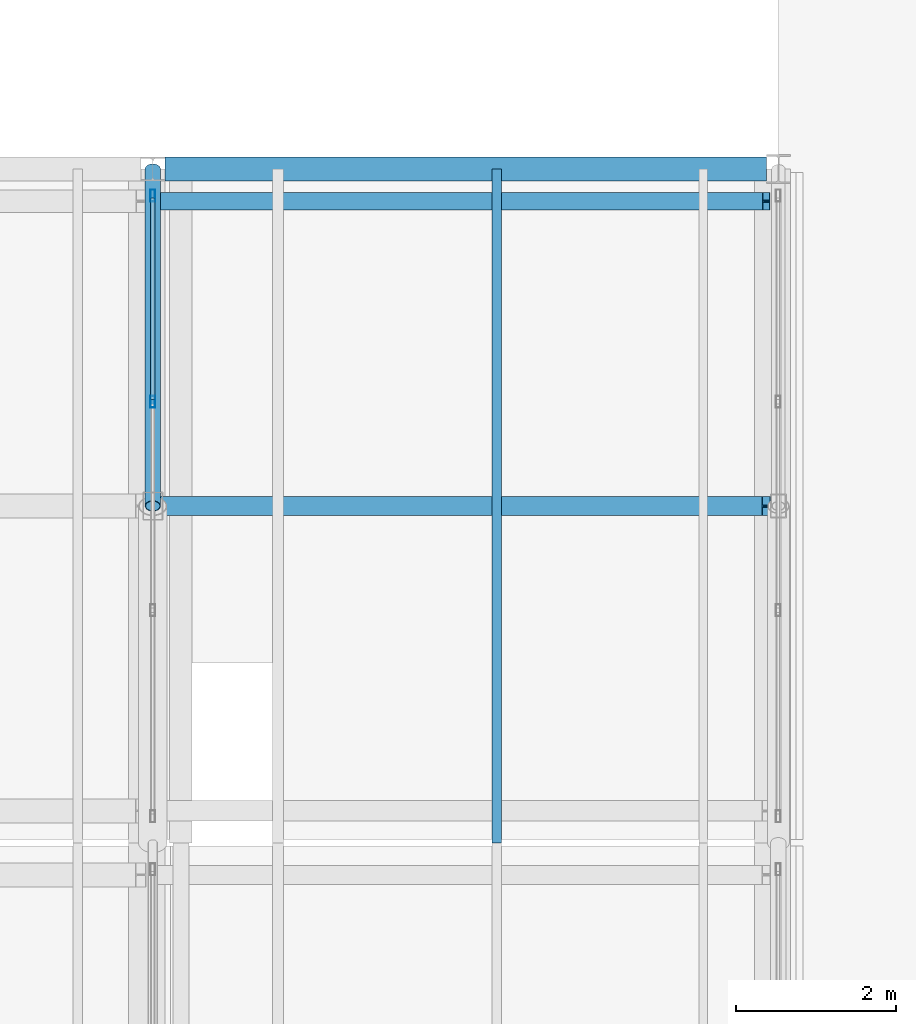
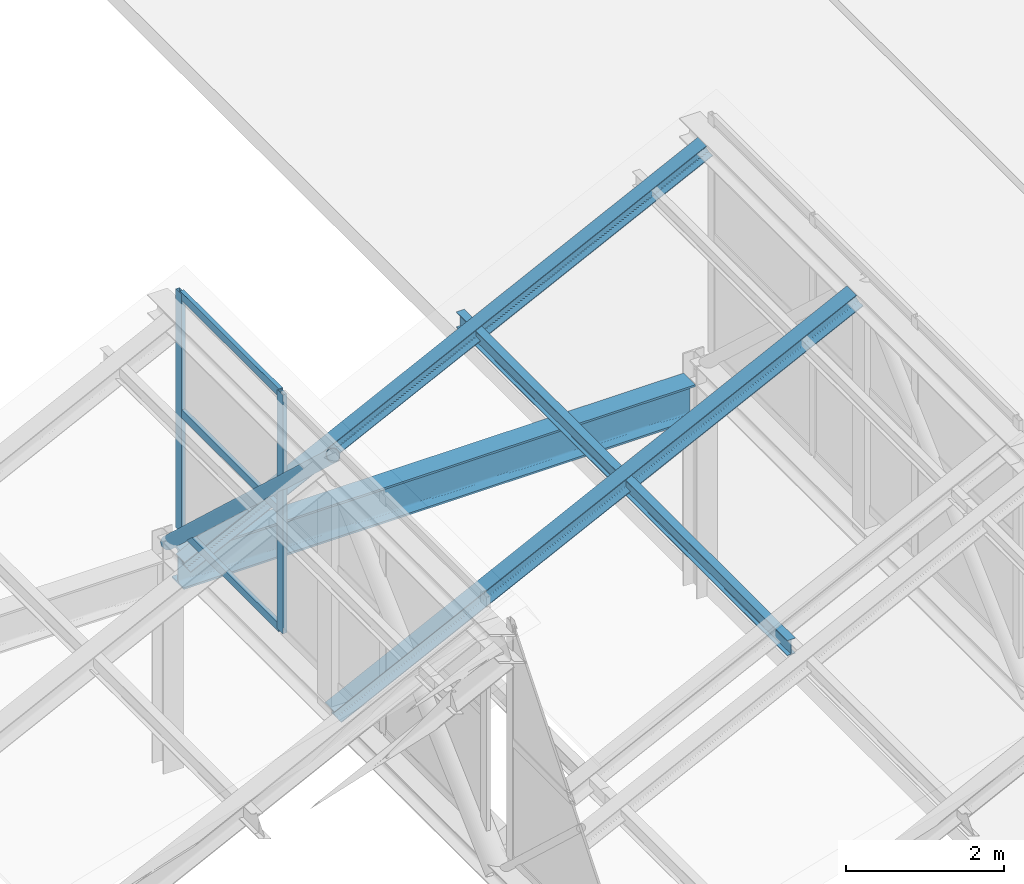
# One storey, part 43 of 101: 9 members, 1 beam, 1 element without a shape of its own.
"""IFC4 building model written with IfcOpenShell, lengths in metres."""

import ifcopenshell
import ifcopenshell.guid

model = None  # the IFC model being written
_history = None  # IfcOwnerHistory: only IFC2X3 demands one
_inside = {}  # id of a spatial element -> (the spatial element, [elements in it])
_under = {}  # id of a project, library or spatial element -> (it, [spatial elements below it])
_declared = {}  # id of a project -> (the project, [libraries it declares])
_typed = {}  # id of a type object -> (the type object, [elements of that type])
_made_of = {}  # id of a material, layer set ... -> (it, [elements and type objects made of it])


def new_model(schema):
    """Start an empty IFC model of exactly this schema.

    Asked for "IFC4X3", IfcOpenShell would pick the latest addendum, in which some entities
    have other attributes; the version numbers below select the first issue.
    IFC2X3 requires an IfcOwnerHistory on every rooted entity: one is made here for all.
    """
    global model, _history
    if schema == "IFC4X3":
        model = ifcopenshell.file(schema_version=(4, 3, 0, 0))
    else:
        model = ifcopenshell.file(schema=schema)
    _inside.clear()
    _under.clear()
    _declared.clear()
    _typed.clear()
    _made_of.clear()
    _history = None
    if model.schema == "IFC2X3":
        org = make("IfcOrganization", Name="unknown")
        user = make(
            "IfcPersonAndOrganization",
            ThePerson=make("IfcPerson", FamilyName="unknown"),
            TheOrganization=org,
        )
        app = make(
            "IfcApplication",
            ApplicationDeveloper=org,
            Version="unknown",
            ApplicationFullName="unknown",
            ApplicationIdentifier="unknown",
        )
        _history = make(
            "IfcOwnerHistory",
            OwningUser=user,
            OwningApplication=app,
            ChangeAction="ADDED",
            CreationDate=0,
        )
    return model


def make(cls, **values):
    """One entity of the class cls with the attributes given. An attribute that is None is left unset."""
    return model.create_entity(
        cls, **{name: value for name, value in values.items() if value is not None}
    )


def rooted(cls, **values):
    """An entity with a GlobalId (a new one), such as an element, a storey or a relation."""
    return make(cls, GlobalId=ifcopenshell.guid.new(), OwnerHistory=_history, **values)


def si_unit(unit_type, name, prefix=None):
    """IfcSIUnit, for example si_unit("LENGTHUNIT", "METRE", prefix="MILLI")."""
    return make("IfcSIUnit", UnitType=unit_type, Prefix=prefix, Name=name)


def assignment(units):
    """IfcUnitAssignment: the units of a project."""
    return None if units is None else make("IfcUnitAssignment", Units=units)


def point(xyz):
    """IfcCartesianPoint."""
    return None if xyz is None else make("IfcCartesianPoint", Coordinates=xyz)


def direction(xyz):
    """IfcDirection."""
    return None if xyz is None else make("IfcDirection", DirectionRatios=xyz)


def frame(location, z_axis=None, x_axis=None):
    """IfcAxis2Placement3D, a coordinate frame: its origin and axes. An axis left out is left unset."""
    return make(
        "IfcAxis2Placement3D",
        Location=point(location),
        Axis=direction(z_axis),
        RefDirection=direction(x_axis),
    )


def frame_2d(location, x_axis=None):
    """IfcAxis2Placement2D, a coordinate frame in the plane: its origin and x axis."""
    return make(
        "IfcAxis2Placement2D", Location=point(location), RefDirection=direction(x_axis)
    )


def origin():
    """The frame at (0, 0, 0) with its axes left unset."""
    return frame((0.0, 0.0, 0.0))


def origin_2d():
    """The frame at (0, 0) in the plane with its x axis left unset."""
    return frame_2d((0.0, 0.0))


def place(relative_to, where):
    """IfcLocalPlacement: puts the frame where relative to a parent placement (None: the world)."""
    return make(
        "IfcLocalPlacement", PlacementRelTo=relative_to, RelativePlacement=where
    )


def context(
    kind, dimensions, precision=None, world=None, true_north=None, identifier=None
):
    """IfcGeometricRepresentationContext, for example the 3D "Model" context."""
    return make(
        "IfcGeometricRepresentationContext",
        ContextIdentifier=identifier,
        ContextType=kind,
        CoordinateSpaceDimension=dimensions,
        Precision=precision,
        WorldCoordinateSystem=world,
        TrueNorth=true_north,
    )


def subcontext(parent, identifier, kind, view, scale=None):
    """IfcGeometricRepresentationSubContext, for example "Body" below "Model"."""
    return make(
        "IfcGeometricRepresentationSubContext",
        ContextIdentifier=identifier,
        ContextType=kind,
        ParentContext=parent,
        TargetScale=scale,
        TargetView=view,
    )


def project(units=None, contexts=None):
    """IfcProject with its units and contexts."""
    return rooted(
        "IfcProject",
        Name="project",
        RepresentationContexts=contexts,
        UnitsInContext=assignment(units),
    )


def spatial(cls, under=None, at=None, **own):
    """A site, building, storey or space (cls), placed at a placement, below another one or the project."""
    s = rooted(cls, ObjectPlacement=at, **own)
    if under is not None:
        _under.setdefault(under.id(), (under, []))[1].append(s)
    return s


def profile(cls, at=None, kind="AREA", **sizes):
    """A parametric profile (cls). Its sizes go by their IFC names, for example OverallWidth=200.0."""
    return make(cls, ProfileType=kind, Position=at, **sizes)


def hollow_rectangle(**sizes):
    """IfcRectangleHollowProfileDef."""
    return profile("IfcRectangleHollowProfileDef", **sizes)


def hollow_circle(**sizes):
    """IfcCircleHollowProfileDef."""
    return profile("IfcCircleHollowProfileDef", **sizes)


def i_section(**sizes):
    """IfcIShapeProfileDef."""
    return profile("IfcIShapeProfileDef", **sizes)


def extrude(swept, where, along, depth):
    """IfcExtrudedAreaSolid: the profile swept, set in the frame where, extruded along a direction by depth."""
    return make(
        "IfcExtrudedAreaSolid",
        SweptArea=swept,
        Position=where,
        ExtrudedDirection=direction(along),
        Depth=depth,
    )


def shape(context_of_items, identifier, shape_type, items):
    """IfcShapeRepresentation: the items that make up one representation, for example the "Body"."""
    return make(
        "IfcShapeRepresentation",
        ContextOfItems=context_of_items,
        RepresentationIdentifier=identifier,
        RepresentationType=shape_type,
        Items=items,
    )


def material(Name=None, Category=None):
    """IfcMaterial."""
    return make("IfcMaterial", Name=Name, Category=Category)


def layer(
    of_material, thickness, ventilated=None, Name=None, Category=None, Priority=None
):
    """IfcMaterialLayer: one layer of a wall or slab, of a material (None: an air gap)."""
    return make(
        "IfcMaterialLayer",
        Material=of_material,
        LayerThickness=thickness,
        IsVentilated=ventilated,
        Name=Name,
        Category=Category,
        Priority=Priority,
    )


def layer_set(layers, Name=None):
    """IfcMaterialLayerSet."""
    return make("IfcMaterialLayerSet", MaterialLayers=layers, LayerSetName=Name)


def material_profile(
    of_material, cross_section, Name=None, Category=None, Priority=None
):
    """IfcMaterialProfile: a cross section and its material."""
    return make(
        "IfcMaterialProfile",
        Name=Name,
        Material=of_material,
        Profile=cross_section,
        Priority=Priority,
        Category=Category,
    )


def profile_set(profiles, Name=None, composite=None):
    """IfcMaterialProfileSet."""
    return make(
        "IfcMaterialProfileSet",
        Name=Name,
        MaterialProfiles=profiles,
        CompositeProfile=composite,
    )


def made_of(thing, what):
    """Note that an element or type object is made of a material, layer set ...; save() writes the relation."""
    if what is not None:
        _made_of.setdefault(what.id(), (what, []))[1].append(thing)
    return thing


def type_object(cls, material=None, **own):
    """A type object (cls), such as IfcWallType, which elements share."""
    return made_of(rooted(cls, **own), material)


def element(
    cls,
    number,
    at=None,
    inside=None,
    cuts=None,
    type_object=None,
    material=None,
    context=None,
    identifier="Body",
    shape_type=None,
    held_by="IfcProductDefinitionShape",
    body=None,
    shapes=None,
    **own,
):
    """One element of the class cls, such as IfcWall. Its Tag is "e" and its number.

    at: its placement. inside: the storey or other place that contains it. cuts: it is an
    opening in that element (IfcRelVoidsElement). A single representation is given by context,
    identifier, shape_type and body (its items); several are given by shapes. held_by: the class
    of the entity that holds the representations. save() writes the other relations.
    """
    e = rooted(cls, Tag="e%d" % number, ObjectPlacement=at, **own)
    if body is not None:
        shapes = [shape(context, identifier, shape_type, body)]
    if shapes is not None:
        e.Representation = make(held_by, Representations=shapes)
    if inside is not None:
        _inside.setdefault(inside.id(), (inside, []))[1].append(e)
    if cuts is not None:
        rooted(
            "IfcRelVoidsElement", RelatingBuildingElement=cuts, RelatedOpeningElement=e
        )
    if type_object is not None:
        _typed.setdefault(type_object.id(), (type_object, []))[1].append(e)
    return made_of(e, material)


def aggregate(whole, parts):
    """IfcRelAggregates: a whole, such as a stair, and the parts it consists of."""
    return rooted("IfcRelAggregates", RelatingObject=whole, RelatedObjects=parts)


def save(model, path):
    """Write the relations noted so far, then the file.

    IfcRelAggregates (storeys below a building ...), IfcRelContainedInSpatialStructure (elements
    in a storey), IfcRelDefinesByType, IfcRelAssociatesMaterial and IfcRelDeclares: one each for
    every whole, place, type object, material and project.
    """
    for whole, parts in _under.values():
        aggregate(whole, parts)
    for where, things in _inside.values():
        rooted(
            "IfcRelContainedInSpatialStructure",
            RelatedElements=things,
            RelatingStructure=where,
        )
    for kind, things in _typed.values():
        rooted("IfcRelDefinesByType", RelatedObjects=things, RelatingType=kind)
    for what, things in _made_of.values():
        rooted("IfcRelAssociatesMaterial", RelatedObjects=things, RelatingMaterial=what)
    for by, libraries in _declared.values():
        rooted("IfcRelDeclares", RelatingContext=by, RelatedDefinitions=libraries)
    model.write(path)


model = new_model("IFC4")

# Units and contexts
model_context = context("Model", 3, precision=1e-05, world=origin(), true_north=direction((0.0, 1.0)))
body_context = subcontext(model_context, "Body", "Model", "MODEL_VIEW")
ifc_project = project(units=[si_unit("LENGTHUNIT", "METRE"), si_unit("AREAUNIT", "SQUARE_METRE"), si_unit("VOLUMEUNIT", "CUBIC_METRE"), si_unit("PLANEANGLEUNIT", "RADIAN"), si_unit("MASSUNIT", "GRAM", prefix="KILO")], contexts=[model_context])

# Site, building, storey
site_placement = place(None, origin())
site = spatial("IfcSite", under=ifc_project, at=site_placement, CompositionType="ELEMENT")
building_placement = place(site_placement, origin())
building = spatial("IfcBuilding", under=site, at=building_placement, Name="Zizhar Promenade General Hospital", CompositionType="ELEMENT")
storey_placement = place(building_placement, frame((0.0, 0.0, 14.39990234375)))
storey = spatial("IfcBuildingStorey", under=building, at=storey_placement, Name="L03", CompositionType="ELEMENT", Elevation=14.39990234375)

# Beam
ifc_material_1 = material(Name="Steel S355", Category="steel")
ifc_material_profile_1 = material_profile(ifc_material_1, i_section(OverallWidth=0.300048828125, OverallDepth=0.550048828125, WebThickness=0.014892578125, FlangeThickness=0.029052734375, FilletRadius=0.027099609375, at=origin_2d()))
ifc_profile_set_1 = profile_set([ifc_material_profile_1], Name="Steel S355")
beam_type = type_object("IfcBeamType", Name="BM-STL-HEB550", PredefinedType="BEAM", material=ifc_profile_set_1)
beam_placement = place(storey_placement, frame((117.14990234375, 50.39990234375, 3.03515625), z_axis=(1.0, 0.0, 0.0), x_axis=(0.0, 1.0, 0.0)))
element("IfcBeam", 1, at=beam_placement, inside=storey, type_object=beam_type, Name="Grid Beam X L03 (15-6)", PredefinedType="BEAM", context=body_context, shape_type="SweptSolid", body=[
    extrude(i_section(OverallWidth=0.300048828125, OverallDepth=0.550048828125, WebThickness=0.014892578125, FlangeThickness=0.029052734375, FilletRadius=0.027099609375, at=origin_2d()), origin(), (0.0, 0.0, 1.0), 7.5),
])

# Curtain wall, members
ifc_material_2 = material(Name="Anodised aluminium 6063-T6 and low-E glass", Category="aluminium")
ifc_layer = layer(ifc_material_2, 0.159912109375)
ifc_layer_set = layer_set([ifc_layer], Name="Anodised aluminium 6063-T6 and low-E glass")
curtain_wall_type = type_object("IfcCurtainWallType", Name="CW-SAW-NL3", PredefinedType="NOTDEFINED", material=ifc_layer_set)
curtain_wall_placement = place(storey_placement, origin())
curtain_wall = element("IfcCurtainWall", 2, at=curtain_wall_placement, inside=storey, type_object=curtain_wall_type, Name="Sawtooth Clerestory Light B6-S3", PredefinedType="NOTDEFINED")
ifc_material_3 = material(Name="Anodised aluminium 6063-T6", Category="aluminium")
ifc_material_profile_2 = material_profile(ifc_material_3, hollow_rectangle(XDim=0.06005859375, YDim=0.14990234375, WallThickness=0.00390625, at=origin_2d()))
ifc_profile_set_2 = profile_set([ifc_material_profile_2], Name="Anodised aluminium 6063-T6")
member_type_1 = type_object("IfcMemberType", Name="CWM-ALU-150x60", PredefinedType="MULLION", material=ifc_profile_set_2)
member_1_placement = place(storey_placement, frame((117.0, 47.5, 3.85009765625), z_axis=(0.0, 0.0, 1.0), x_axis=(-1.0, 0.0, 0.0)))
member_1 = element("IfcMember", 3, at=member_1_placement, type_object=member_type_1, Name="CW-05 mullion 3", PredefinedType="MULLION", context=body_context, shape_type="SweptSolid", body=[
    extrude(hollow_rectangle(XDim=0.06005859375, YDim=0.14990234375, WallThickness=0.00390625, at=origin_2d()), origin(), (0.0, 0.0, 1.0), 3.699951171875),
])
member_2_placement = place(storey_placement, frame((117.0, 50.070068359375, 3.85009765625), z_axis=(0.0, 0.0, 1.0), x_axis=(-1.0, 0.0, 0.0)))
member_2 = element("IfcMember", 4, at=member_2_placement, type_object=member_type_1, Name="CW-05 mullion 4", PredefinedType="MULLION", context=body_context, shape_type="SweptSolid", body=[
    extrude(hollow_rectangle(XDim=0.06005859375, YDim=0.14990234375, WallThickness=0.00390625, at=origin_2d()), origin(), (0.0, 0.0, 1.0), 3.699951171875),
])
ifc_material_4 = material(Name="Anodised aluminium 6063-T6", Category="aluminium")
ifc_material_profile_3 = material_profile(ifc_material_4, hollow_rectangle(XDim=0.06005859375, YDim=0.1201171875, WallThickness=0.00390625, at=origin_2d()))
ifc_profile_set_3 = profile_set([ifc_material_profile_3], Name="Anodised aluminium 6063-T6")
member_type_2 = type_object("IfcMemberType", Name="CWT-ALU-120x60", PredefinedType="USERDEFINED", material=ifc_profile_set_3)
member_3_placement = place(storey_placement, frame((117.0, 47.530029296875, 3.880126953125), z_axis=(0.0, 1.0, 0.0), x_axis=(-1.0, 0.0, 0.0)))
member_3 = element("IfcMember", 5, at=member_3_placement, type_object=member_type_2, Name="CW-05 transom 3.1", ObjectType="TRANSOM", PredefinedType="USERDEFINED", context=body_context, shape_type="SweptSolid", body=[
    extrude(hollow_rectangle(XDim=0.06005859375, YDim=0.1201171875, WallThickness=0.00390625, at=origin_2d()), origin(), (0.0, 0.0, 1.0), 2.510009765625),
])
member_4_placement = place(storey_placement, frame((117.0, 47.530029296875, 5.7001953125), z_axis=(0.0, 1.0, 0.0), x_axis=(-1.0, 0.0, 0.0)))
member_4 = element("IfcMember", 6, at=member_4_placement, type_object=member_type_2, Name="CW-05 transom 3.2", ObjectType="TRANSOM", PredefinedType="USERDEFINED", context=body_context, shape_type="SweptSolid", body=[
    extrude(hollow_rectangle(XDim=0.06005859375, YDim=0.1201171875, WallThickness=0.00390625, at=origin_2d()), origin(), (0.0, 0.0, 1.0), 2.510009765625),
])
member_5_placement = place(storey_placement, frame((117.0, 47.530029296875, 7.52001953125), z_axis=(0.0, 1.0, 0.0), x_axis=(-1.0, 0.0, 0.0)))
member_5 = element("IfcMember", 7, at=member_5_placement, type_object=member_type_2, Name="CW-05 transom 3.3", ObjectType="TRANSOM", PredefinedType="USERDEFINED", context=body_context, shape_type="SweptSolid", body=[
    extrude(hollow_rectangle(XDim=0.06005859375, YDim=0.1201171875, WallThickness=0.00390625, at=origin_2d()), origin(), (0.0, 0.0, 1.0), 2.510009765625),
])
aggregate(curtain_wall, [member_1, member_2, member_3, member_4, member_5])

# Members
ifc_material_5 = material(Name="Steel S355", Category="steel")
ifc_material_profile_4 = material_profile(ifc_material_5, hollow_circle(Radius=0.096923828125, WallThickness=0.008056640625, at=origin_2d()))
ifc_profile_set_4 = profile_set([ifc_material_profile_4], Name="Steel S355")
member_type_3 = type_object("IfcMemberType", Name="MEM-DIAG-CHS194", PredefinedType="BRACE", material=ifc_profile_set_4)
member_6_placement = place(storey_placement, frame((117.0, 50.39990234375, 3.4501953125), z_axis=(0.0, -0.732798043082, 0.680446197767), x_axis=(1.0, 0.0, 0.0)))
element("IfcMember", 8, at=member_6_placement, inside=storey, type_object=member_type_3, Name="Sawtooth Truss Frame 7 Diagonal B3", PredefinedType="BRACE", context=body_context, shape_type="SweptSolid", body=[
    extrude(hollow_circle(Radius=0.096923828125, WallThickness=0.008056640625, at=origin_2d()), origin(), (0.0, 0.0, 1.0), 5.7314453125),
])
ifc_material_6 = material(Name="Steel S355", Category="steel")
ifc_material_profile_5 = material_profile(ifc_material_6, i_section(OverallWidth=0.1201171875, OverallDepth=0.239990234375, WebThickness=0.006103515625, FlangeThickness=0.009765625, FilletRadius=0.014892578125, at=origin_2d()))
ifc_profile_set_5 = profile_set([ifc_material_profile_5], Name="Steel S355")
member_type_4 = type_object("IfcMemberType", Name="MEM-PURL-IPE240", PredefinedType="PURLIN", material=ifc_profile_set_5)
member_7_placement = place(storey_placement, frame((121.2900390625, 42.0, 5.424560546875), z_axis=(0.0, 1.0, 0.0), x_axis=(-1.0, 0.0, 0.0)))
element("IfcMember", 9, at=member_7_placement, inside=storey, type_object=member_type_4, Name="Sawtooth Bay 7 Purlin 3-2", PredefinedType="PURLIN", context=body_context, shape_type="SweptSolid", body=[
    extrude(i_section(OverallWidth=0.1201171875, OverallDepth=0.239990234375, WebThickness=0.006103515625, FlangeThickness=0.009765625, FilletRadius=0.014892578125, at=origin_2d()), origin(), (0.0, 0.0, 1.0), 8.39990234375),
])
ifc_material_7 = material(Name="Steel S355", Category="steel")
ifc_material_profile_6 = material_profile(ifc_material_7, i_section(OverallWidth=0.219970703125, OverallDepth=0.2099609375, WebThickness=0.007080078125, FlangeThickness=0.010986328125, FilletRadius=0.01806640625, at=origin_2d()))
ifc_profile_set_6 = profile_set([ifc_material_profile_6], Name="Steel S355")
member_type_5 = type_object("IfcMemberType", Name="MEM-RAFT-HEA220", PredefinedType="RAFTER", material=ifc_profile_set_6)
member_8_placement = place(storey_placement, frame((117.0, 50.0, 3.3759765625), z_axis=(0.896704881356, 0.0, 0.442628914276), x_axis=(0.0, 1.0, 0.0)))
element("IfcMember", 10, at=member_8_placement, inside=storey, type_object=member_type_5, Name="Sawtooth Bay 7 Rafter 3-3", PredefinedType="RAFTER", context=body_context, shape_type="SweptSolid", body=[
    extrude(i_section(OverallWidth=0.219970703125, OverallDepth=0.2099609375, WebThickness=0.007080078125, FlangeThickness=0.010986328125, FilletRadius=0.01806640625, at=origin_2d()), origin(), (0.0, 0.0, 1.0), 8.531005859375),
])
ifc_material_8 = material(Name="Steel S355", Category="steel")
ifc_material_profile_7 = material_profile(ifc_material_8, i_section(OverallWidth=0.239990234375, OverallDepth=0.22998046875, WebThickness=0.007568359375, FlangeThickness=0.011962890625, FilletRadius=0.02099609375, at=origin_2d()))
ifc_profile_set_7 = profile_set([ifc_material_profile_7], Name="Steel S355")
member_type_6 = type_object("IfcMemberType", Name="MEM-RAFT-HEA240", PredefinedType="RAFTER", material=ifc_profile_set_7)
member_9_placement = place(storey_placement, frame((117.0, 46.199951171875, 3.364990234375), z_axis=(0.896704881356, 0.0, 0.442628914276), x_axis=(0.0, 1.0, 0.0)))
element("IfcMember", 11, at=member_9_placement, inside=storey, type_object=member_type_6, Name="Sawtooth Bay 7 Rafter 3-2", PredefinedType="RAFTER", context=body_context, shape_type="SweptSolid", body=[
    extrude(i_section(OverallWidth=0.239990234375, OverallDepth=0.22998046875, WebThickness=0.007568359375, FlangeThickness=0.011962890625, FilletRadius=0.02099609375, at=origin_2d()), origin(), (0.0, 0.0, 1.0), 8.531005859375),
])

save(model, "model.ifc")
